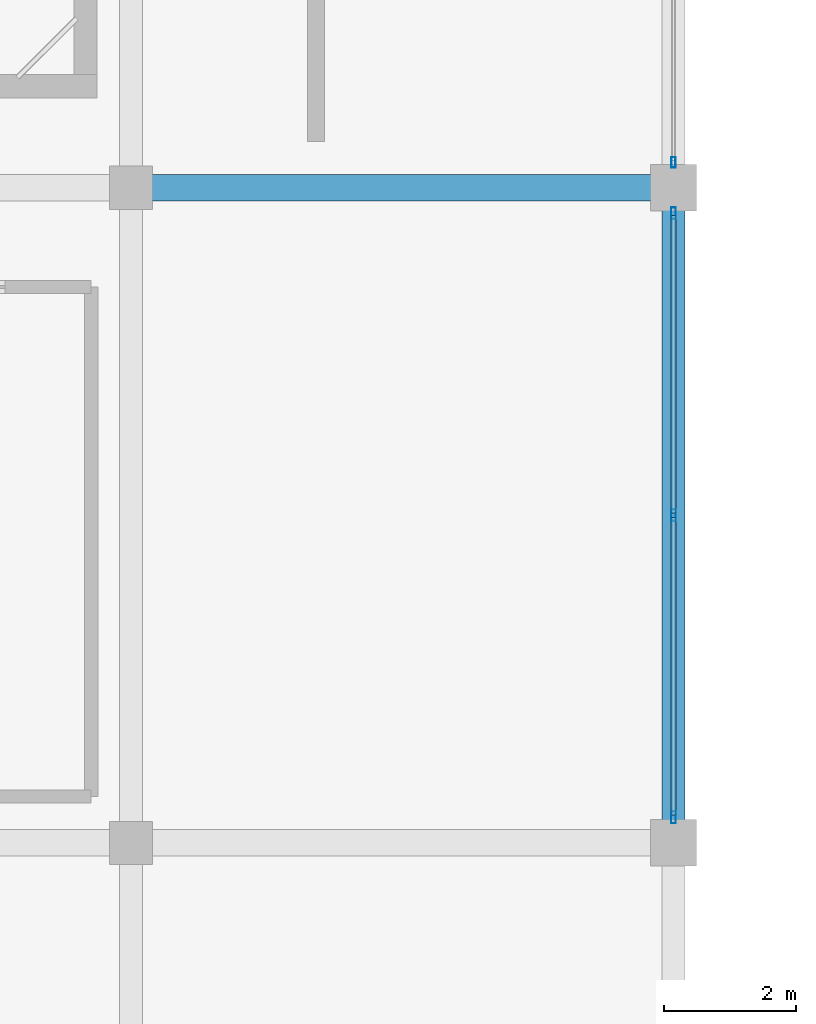
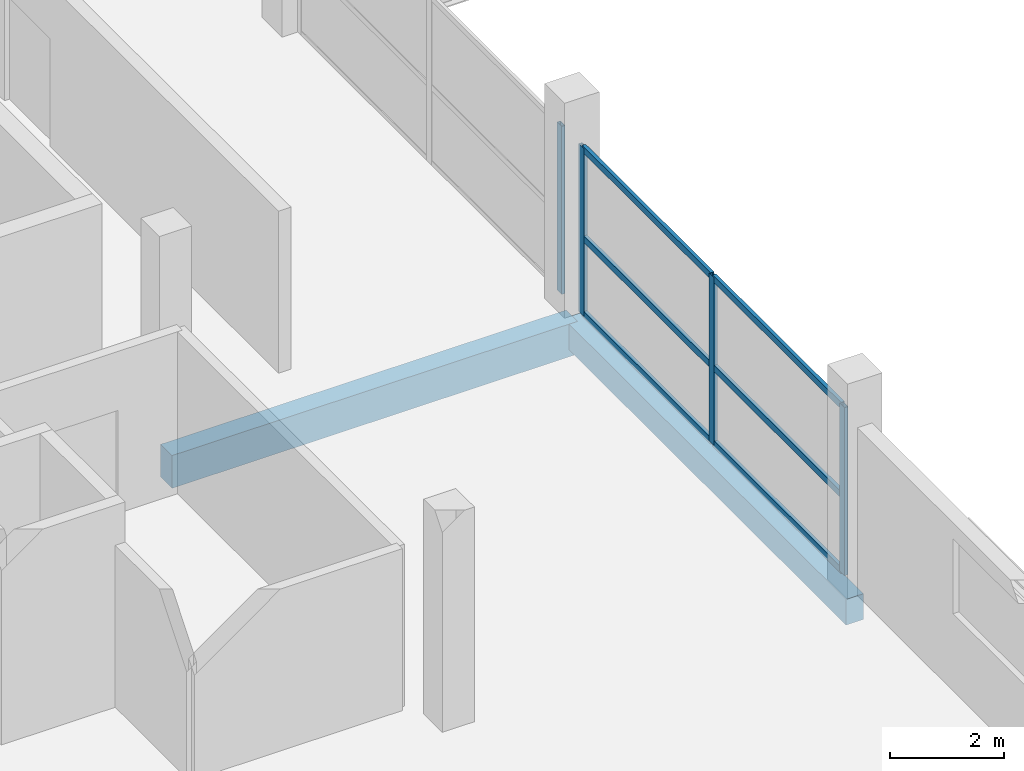
# One storey, part 19 of 69: 10 members, 2 beams, 2 elements without a shape of their own.
"""IFC4 building model written with IfcOpenShell, lengths in metres."""

from ifc_helpers import new_model, si_unit, direction, frame, origin, origin_2d, place, context, subcontext, project, spatial, rectangle, hollow_rectangle, extrude, material, layer, layer_set, material_profile, profile_set, type_object, element, aggregate, save


model = new_model("IFC4")

# Units and contexts
model_context = context("Model", 3, precision=1e-05, world=origin(), true_north=direction((0.0, 1.0)))
body_context = subcontext(model_context, "Body", "Model", "MODEL_VIEW")
ifc_project = project(units=[si_unit("LENGTHUNIT", "METRE"), si_unit("AREAUNIT", "SQUARE_METRE"), si_unit("VOLUMEUNIT", "CUBIC_METRE"), si_unit("PLANEANGLEUNIT", "RADIAN"), si_unit("MASSUNIT", "GRAM", prefix="KILO")], contexts=[model_context])

# Site, building, storey
site_placement = place(None, origin())
site = spatial("IfcSite", under=ifc_project, at=site_placement, CompositionType="ELEMENT")
building_placement = place(site_placement, origin())
building = spatial("IfcBuilding", under=site, at=building_placement, Name="Sillaruma Civic Art Gallery", CompositionType="ELEMENT")
storey_placement = place(building_placement, frame((0.0, 0.0, 42.330078125)))
storey = spatial("IfcBuildingStorey", under=building, at=storey_placement, Name="L08", CompositionType="ELEMENT", Elevation=42.330078125)

# Beams
ifc_material_1 = material(Name="Concrete H35 (35 MPa)", Category="concrete")
ifc_material_profile_1 = material_profile(ifc_material_1, rectangle(XDim=0.39990234375, YDim=0.699951171875, at=origin_2d()), Name="RCB400x700")
ifc_profile_set_1 = profile_set([ifc_material_profile_1], Name="Concrete H35 (35 MPa)")
beam_type_1 = type_object("IfcBeamType", Name="BM-BEAM-RCB400x700", PredefinedType="BEAM", material=ifc_profile_set_1)
beam_1_placement = place(storey_placement, frame((106.199951171875, 49.5, -0.630126953125), z_axis=(1.0, 0.0, 0.0), x_axis=(0.0, 1.0, 0.0)))
element("IfcBeam", 1, at=beam_1_placement, inside=storey, type_object=beam_type_1, Name="Beam BM-04 (L07:6:M-N)", PredefinedType="BEAM", context=body_context, shape_type="SweptSolid", body=[
    extrude(rectangle(XDim=0.39990234375, YDim=0.699951171875, at=origin_2d()), origin(), (0.0, 0.0, 1.0), 8.199951171875),
])
ifc_material_profile_2 = material_profile(ifc_material_1, rectangle(XDim=0.35009765625, YDim=0.550048828125, at=origin_2d()), Name="RCB350x550")
ifc_profile_set_2 = profile_set([ifc_material_profile_2], Name="Concrete H35 (35 MPa)")
beam_type_2 = type_object("IfcBeamType", Name="BM-SPANDREL-RCB350x550", PredefinedType="SPANDREL", material=ifc_profile_set_2)
beam_2_placement = place(storey_placement, frame((114.39990234375, 39.60009765625, -0.55517578125), z_axis=(0.0, 1.0, 0.0), x_axis=(-1.0, 0.0, 0.0)))
element("IfcBeam", 2, at=beam_2_placement, inside=storey, type_object=beam_type_2, Name="Beam BS-04 (L07:N:5-6)", PredefinedType="SPANDREL", context=body_context, shape_type="SweptSolid", body=[
    extrude(rectangle(XDim=0.35009765625, YDim=0.550048828125, at=origin_2d()), origin(), (0.0, 0.0, 1.0), 9.89990234375),
])

# Curtain wall, member
ifc_material_2 = material(Name="Thermally Broken Extruded Aluminium 6063-T6", Category="aluminium")
ifc_layer_1 = layer(ifc_material_2, 0.159912109375, Name="Thermally Broken Extruded Aluminium 6063-T6")
ifc_layer_set_1 = layer_set([ifc_layer_1], Name="Thermally Broken Extruded Aluminium 6063-T6")
curtain_wall_type_1 = type_object("IfcCurtainWallType", Name="CW-UNI-30", PredefinedType="NOTDEFINED", material=ifc_layer_set_1)
curtain_wall_1_placement = place(storey_placement, origin())
curtain_wall_1 = element("IfcCurtainWall", 3, at=curtain_wall_1_placement, inside=storey, type_object=curtain_wall_type_1, Name="Unitised Curtain Wall CW-30 (CW-L08-EBE-4)", PredefinedType="NOTDEFINED")
ifc_material_profile_3 = material_profile(ifc_material_2, hollow_rectangle(XDim=0.06494140625, YDim=0.159912109375, WallThickness=0.00390625, at=origin_2d()), Name="CWM65x160")
ifc_profile_set_3 = profile_set([ifc_material_profile_3], Name="Thermally Broken Extruded Aluminium 6063-T6")
member_type_1 = type_object("IfcMemberType", Name="MEM-MUL-CWM65x160", PredefinedType="MULLION", material=ifc_profile_set_3)
member_1_placement = place(storey_placement, frame((114.39990234375, 49.882568359375, 0.0), z_axis=(0.0, 0.0, 1.0), x_axis=(-1.0, 0.0, 0.0)))
member_1 = element("IfcMember", 4, at=member_1_placement, type_object=member_type_1, Name="CW-30 mullion 1", PredefinedType="MULLION", context=body_context, shape_type="SweptSolid", body=[
    extrude(hollow_rectangle(XDim=0.06494140625, YDim=0.159912109375, WallThickness=0.00390625, at=origin_2d()), origin(), (0.0, 0.0, 1.0), 3.58984375),
])
aggregate(curtain_wall_1, [member_1])

# Curtain wall, members
ifc_layer_2 = layer(ifc_material_2, 0.179931640625, Name="Thermally Broken Extruded Aluminium 6063-T6")
ifc_layer_set_2 = layer_set([ifc_layer_2], Name="Thermally Broken Extruded Aluminium 6063-T6")
curtain_wall_type_2 = type_object("IfcCurtainWallType", Name="CW-UNI-58", PredefinedType="NOTDEFINED", material=ifc_layer_set_2)
curtain_wall_2_placement = place(storey_placement, origin())
curtain_wall_2 = element("IfcCurtainWall", 5, at=curtain_wall_2_placement, inside=storey, type_object=curtain_wall_type_2, Name="Unitised Curtain Wall CW-58 (CW-L08-EBE-3)", PredefinedType="NOTDEFINED")
ifc_material_profile_4 = material_profile(ifc_material_2, hollow_rectangle(XDim=0.070068359375, YDim=0.179931640625, WallThickness=0.00390625, at=origin_2d()), Name="CWM70x180")
ifc_profile_set_4 = profile_set([ifc_material_profile_4], Name="Thermally Broken Extruded Aluminium 6063-T6")
member_type_2 = type_object("IfcMemberType", Name="MEM-MUL-CWM70x180", PredefinedType="MULLION", material=ifc_profile_set_4)
member_2_placement = place(storey_placement, frame((114.39990234375, 39.985107421875, 0.0), z_axis=(0.0, 0.0, 1.0), x_axis=(-1.0, 0.0, 0.0)))
member_2 = element("IfcMember", 6, at=member_2_placement, type_object=member_type_2, Name="CW-58 mullion 1", PredefinedType="MULLION", context=body_context, shape_type="SweptSolid", body=[
    extrude(hollow_rectangle(XDim=0.070068359375, YDim=0.179931640625, WallThickness=0.00390625, at=origin_2d()), origin(), (0.0, 0.0, 1.0), 3.58984375),
])
member_3_placement = place(storey_placement, frame((114.39990234375, 44.550048828125, 0.0), z_axis=(0.0, 0.0, 1.0), x_axis=(-1.0, 0.0, 0.0)))
member_3 = element("IfcMember", 7, at=member_3_placement, type_object=member_type_2, Name="CW-58 mullion 2", PredefinedType="MULLION", context=body_context, shape_type="SweptSolid", body=[
    extrude(hollow_rectangle(XDim=0.070068359375, YDim=0.179931640625, WallThickness=0.00390625, at=origin_2d()), origin(), (0.0, 0.0, 1.0), 3.58984375),
])
member_4_placement = place(storey_placement, frame((114.39990234375, 49.114990234375, 0.0), z_axis=(0.0, 0.0, 1.0), x_axis=(-1.0, 0.0, 0.0)))
member_4 = element("IfcMember", 8, at=member_4_placement, type_object=member_type_2, Name="CW-58 mullion 3", PredefinedType="MULLION", context=body_context, shape_type="SweptSolid", body=[
    extrude(hollow_rectangle(XDim=0.070068359375, YDim=0.179931640625, WallThickness=0.00390625, at=origin_2d()), origin(), (0.0, 0.0, 1.0), 3.58984375),
])
ifc_material_profile_5 = material_profile(ifc_material_2, hollow_rectangle(XDim=0.070068359375, YDim=0.139892578125, WallThickness=0.00390625, at=origin_2d()), Name="CWT70x140")
ifc_profile_set_5 = profile_set([ifc_material_profile_5], Name="Thermally Broken Extruded Aluminium 6063-T6")
member_type_3 = type_object("IfcMemberType", Name="MEM-TRN-CWT70x140", PredefinedType="USERDEFINED", material=ifc_profile_set_5)
member_5_placement = place(storey_placement, frame((114.39990234375, 40.02001953125, 0.034912109375), z_axis=(0.0, 1.0, 0.0), x_axis=(-1.0, 0.0, 0.0)))
member_5 = element("IfcMember", 9, at=member_5_placement, type_object=member_type_3, Name="CW-58 transom 1.1", ObjectType="TRANSOM", PredefinedType="USERDEFINED", context=body_context, shape_type="SweptSolid", body=[
    extrude(hollow_rectangle(XDim=0.070068359375, YDim=0.139892578125, WallThickness=0.00390625, at=origin_2d()), origin(), (0.0, 0.0, 1.0), 4.494873046875),
])
member_6_placement = place(storey_placement, frame((114.39990234375, 40.02001953125, 1.6513671875), z_axis=(0.0, 1.0, 0.0), x_axis=(-1.0, 0.0, 0.0)))
member_6 = element("IfcMember", 10, at=member_6_placement, type_object=member_type_3, Name="CW-58 transom 1.2", ObjectType="TRANSOM", PredefinedType="USERDEFINED", context=body_context, shape_type="SweptSolid", body=[
    extrude(hollow_rectangle(XDim=0.070068359375, YDim=0.139892578125, WallThickness=0.00390625, at=origin_2d()), origin(), (0.0, 0.0, 1.0), 4.494873046875),
])
member_7_placement = place(storey_placement, frame((114.39990234375, 40.02001953125, 3.554931640625), z_axis=(0.0, 1.0, 0.0), x_axis=(-1.0, 0.0, 0.0)))
member_7 = element("IfcMember", 11, at=member_7_placement, type_object=member_type_3, Name="CW-58 transom 1.3", ObjectType="TRANSOM", PredefinedType="USERDEFINED", context=body_context, shape_type="SweptSolid", body=[
    extrude(hollow_rectangle(XDim=0.070068359375, YDim=0.139892578125, WallThickness=0.00390625, at=origin_2d()), origin(), (0.0, 0.0, 1.0), 4.494873046875),
])
member_8_placement = place(storey_placement, frame((114.39990234375, 44.5849609375, 0.034912109375), z_axis=(0.0, 1.0, 0.0), x_axis=(-1.0, 0.0, 0.0)))
member_8 = element("IfcMember", 12, at=member_8_placement, type_object=member_type_3, Name="CW-58 transom 2.1", ObjectType="TRANSOM", PredefinedType="USERDEFINED", context=body_context, shape_type="SweptSolid", body=[
    extrude(hollow_rectangle(XDim=0.070068359375, YDim=0.139892578125, WallThickness=0.00390625, at=origin_2d()), origin(), (0.0, 0.0, 1.0), 4.4951171875),
])
member_9_placement = place(storey_placement, frame((114.39990234375, 44.5849609375, 1.6513671875), z_axis=(0.0, 1.0, 0.0), x_axis=(-1.0, 0.0, 0.0)))
member_9 = element("IfcMember", 13, at=member_9_placement, type_object=member_type_3, Name="CW-58 transom 2.2", ObjectType="TRANSOM", PredefinedType="USERDEFINED", context=body_context, shape_type="SweptSolid", body=[
    extrude(hollow_rectangle(XDim=0.070068359375, YDim=0.139892578125, WallThickness=0.00390625, at=origin_2d()), origin(), (0.0, 0.0, 1.0), 4.4951171875),
])
member_10_placement = place(storey_placement, frame((114.39990234375, 44.5849609375, 3.554931640625), z_axis=(0.0, 1.0, 0.0), x_axis=(-1.0, 0.0, 0.0)))
member_10 = element("IfcMember", 14, at=member_10_placement, type_object=member_type_3, Name="CW-58 transom 2.3", ObjectType="TRANSOM", PredefinedType="USERDEFINED", context=body_context, shape_type="SweptSolid", body=[
    extrude(hollow_rectangle(XDim=0.070068359375, YDim=0.139892578125, WallThickness=0.00390625, at=origin_2d()), origin(), (0.0, 0.0, 1.0), 4.4951171875),
])
aggregate(curtain_wall_2, [member_2, member_3, member_4, member_5, member_6, member_7, member_8, member_9, member_10])

save(model, "model.ifc")
